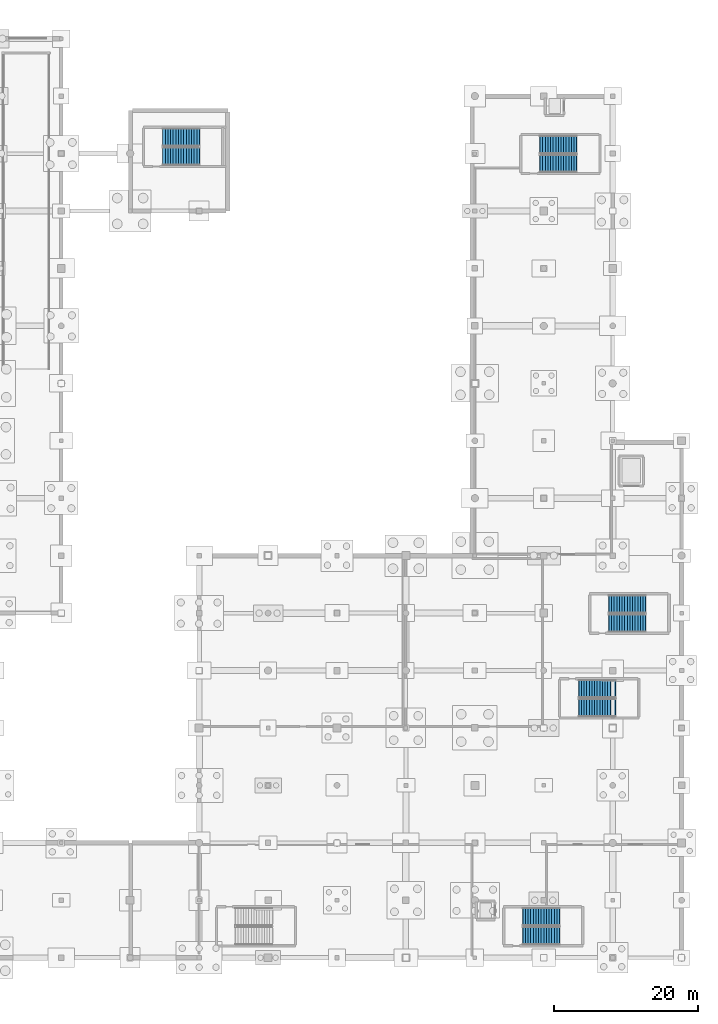
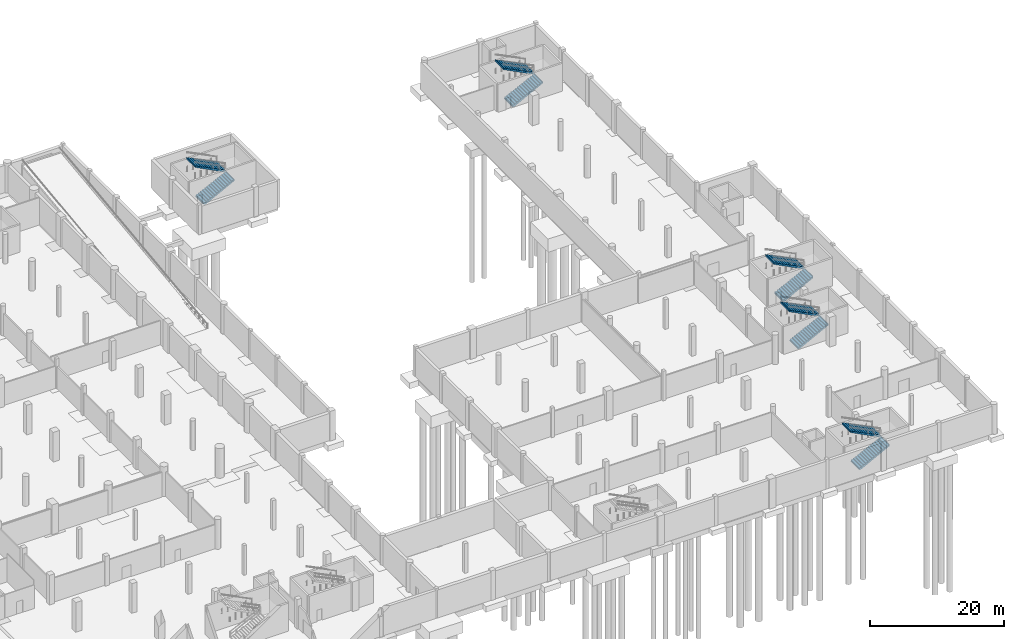
# One storey, part 33 of 44: 10 stair flights, 5 elements without a shape of their own.
"""IFC4 building model written with IfcOpenShell, lengths in metres."""

from ifc_helpers import new_model, si_unit, direction, frame, origin, place, context, subcontext, project, spatial, polyline, outline, extrude, material, type_object, element, aggregate, save


model = new_model("IFC4")

# Units and contexts
model_context = context("Model", 3, precision=1e-05, world=origin(), true_north=direction((0.0, 1.0)))
body_context = subcontext(model_context, "Body", "Model", "MODEL_VIEW")
ifc_project = project(units=[si_unit("LENGTHUNIT", "METRE"), si_unit("AREAUNIT", "SQUARE_METRE"), si_unit("VOLUMEUNIT", "CUBIC_METRE"), si_unit("PLANEANGLEUNIT", "RADIAN"), si_unit("MASSUNIT", "GRAM", prefix="KILO")], contexts=[model_context])

# Site, building, storey
site_placement = place(None, origin())
site = spatial("IfcSite", under=ifc_project, at=site_placement, CompositionType="ELEMENT")
building_placement = place(site_placement, origin())
building = spatial("IfcBuilding", under=site, at=building_placement, Name="Danafjord Basin Convention Centre", CompositionType="ELEMENT")
storey_placement = place(building_placement, frame((0.0, 0.0, -5.39990234375)))
storey = spatial("IfcBuildingStorey", under=building, at=storey_placement, Name="B1", CompositionType="ELEMENT", Elevation=-5.39990234375)

# Stair, stair flights
ifc_material_1 = material(Name="Concrete C40/50", Category="concrete")
stair_type = type_object("IfcStairType", Name="STAIR-STR-C01", PredefinedType="TWO_STRAIGHT_RUN_STAIR", material=ifc_material_1)
stair_1_placement = place(storey_placement, origin())
stair_1 = element("IfcStair", 1, at=stair_1_placement, inside=storey, type_object=stair_type, Name="B1 Plenary North-East Core Stair 1", PredefinedType="HALF_TURN_STAIR")
ifc_material_2 = material(Name="Precast concrete C40/50", Category="concrete")
stair_flight_type = type_object("IfcStairFlightType", Name="SFLT-STD", PredefinedType="STRAIGHT", material=ifc_material_2)
stair_flight_1_placement = place(storey_placement, frame((191.47998046875, 118.610107421875, 0.0), z_axis=(0.0, 0.0, 1.0), x_axis=(1.0, 0.0, 0.0)))
stair_flight_1 = element("IfcStairFlight", 2, at=stair_flight_1_placement, type_object=stair_flight_type, Name="ST-11 flight 1", NumberOfRisers=15, NumberOfTreads=14, PredefinedType="STRAIGHT", RiserHeight=0.18, TreadLength=0.365, context=body_context, shape_type="SweptSolid", body=[
    extrude(outline(polyline([(-0.06494140625, -0.14990234375), (-0.06494140625, -0.00390625), (0.0, -0.00390625), (0.0, 0.179931640625), (0.364990234375, 0.179931640625), (0.364990234375, 0.360107421875), (0.72998046875, 0.360107421875), (0.72998046875, 0.5400390625), (1.094970703125, 0.5400390625), (1.094970703125, 0.719970703125), (1.4599609375, 0.719970703125), (1.4599609375, 0.89990234375), (1.824951171875, 0.89990234375), (1.824951171875, 1.080078125), (2.18994140625, 1.080078125), (2.18994140625, 1.260009765625), (2.554931640625, 1.260009765625), (2.554931640625, 1.43994140625), (2.919921875, 1.43994140625), (2.919921875, 1.6201171875), (3.284912109375, 1.6201171875), (3.284912109375, 1.800048828125), (3.64990234375, 1.800048828125), (3.64990234375, 1.97998046875), (4.014892578125, 1.97998046875), (4.014892578125, 2.159912109375), (4.3798828125, 2.159912109375), (4.3798828125, 2.340087890625), (4.7451171875, 2.340087890625), (4.7451171875, 2.52001953125), (5.110107421875, 2.52001953125), (5.110107421875, 2.699951171875), (5.175048828125, 2.696044921875), (5.175048828125, 2.352783203125), (0.3388671875, -0.14990234375), (-0.06494140625, -0.14990234375)])), frame((0.0, 1.25, 0.0), z_axis=(0.0, -1.0, 0.0), x_axis=(1.0, 0.0, 0.0)), (0.0, 0.0, 1.0), 2.5),
])
stair_flight_2_placement = place(storey_placement, frame((196.590087890625, 121.25, 2.699951171875), z_axis=(0.0, 0.0, 1.0), x_axis=(-1.0, 0.0, 0.0)))
stair_flight_2 = element("IfcStairFlight", 3, at=stair_flight_2_placement, type_object=stair_flight_type, Name="ST-11 flight 2", NumberOfRisers=15, NumberOfTreads=14, PredefinedType="STRAIGHT", RiserHeight=0.18, TreadLength=0.365, context=body_context, shape_type="SweptSolid", body=[
    extrude(outline(polyline([(-0.06494140625, -0.14990234375), (-0.06494140625, -0.00390625), (0.0, -0.00390625), (0.0, 0.179931640625), (0.364990234375, 0.179931640625), (0.364990234375, 0.360107421875), (0.72998046875, 0.360107421875), (0.72998046875, 0.5400390625), (1.094970703125, 0.5400390625), (1.094970703125, 0.719970703125), (1.4599609375, 0.719970703125), (1.4599609375, 0.89990234375), (1.824951171875, 0.89990234375), (1.824951171875, 1.080078125), (2.18994140625, 1.080078125), (2.18994140625, 1.260009765625), (2.554931640625, 1.260009765625), (2.554931640625, 1.43994140625), (2.919921875, 1.43994140625), (2.919921875, 1.6201171875), (3.284912109375, 1.6201171875), (3.284912109375, 1.800048828125), (3.64990234375, 1.800048828125), (3.64990234375, 1.97998046875), (4.014892578125, 1.97998046875), (4.014892578125, 2.159912109375), (4.3798828125, 2.159912109375), (4.3798828125, 2.340087890625), (4.7451171875, 2.340087890625), (4.7451171875, 2.52001953125), (5.110107421875, 2.52001953125), (5.110107421875, 2.699951171875), (5.175048828125, 2.696044921875), (5.175048828125, 2.352783203125), (0.3388671875, -0.14990234375), (-0.06494140625, -0.14990234375)])), frame((0.0, 1.25, 0.0), z_axis=(0.0, -1.0, 0.0), x_axis=(1.0, 0.0, 0.0)), (0.0, 0.0, 1.0), 2.5),
])
aggregate(stair_1, [stair_flight_1, stair_flight_2])

stair_2_placement = place(storey_placement, origin())
stair_2 = element("IfcStair", 4, at=stair_2_placement, inside=storey, type_object=stair_type, Name="B1 Ballroom East Core Stair 1", PredefinedType="HALF_TURN_STAIR")
stair_flight_3_placement = place(storey_placement, frame((201.080078125, 54.610107421875, 0.0), z_axis=(0.0, 0.0, 1.0), x_axis=(1.0, 0.0, 0.0)))
stair_flight_3 = element("IfcStairFlight", 5, at=stair_flight_3_placement, type_object=stair_flight_type, Name="ST-13 flight 1", NumberOfRisers=15, NumberOfTreads=14, PredefinedType="STRAIGHT", RiserHeight=0.18, TreadLength=0.365, context=body_context, shape_type="SweptSolid", body=[
    extrude(outline(polyline([(-0.06494140625, -0.14990234375), (-0.06494140625, -0.00390625), (0.0, -0.00390625), (0.0, 0.179931640625), (0.364990234375, 0.179931640625), (0.364990234375, 0.360107421875), (0.72998046875, 0.360107421875), (0.72998046875, 0.5400390625), (1.094970703125, 0.5400390625), (1.094970703125, 0.719970703125), (1.4599609375, 0.719970703125), (1.4599609375, 0.89990234375), (1.824951171875, 0.89990234375), (1.824951171875, 1.080078125), (2.18994140625, 1.080078125), (2.18994140625, 1.260009765625), (2.554931640625, 1.260009765625), (2.554931640625, 1.43994140625), (2.919921875, 1.43994140625), (2.919921875, 1.6201171875), (3.284912109375, 1.6201171875), (3.284912109375, 1.800048828125), (3.64990234375, 1.800048828125), (3.64990234375, 1.97998046875), (4.014892578125, 1.97998046875), (4.014892578125, 2.159912109375), (4.3798828125, 2.159912109375), (4.3798828125, 2.340087890625), (4.7451171875, 2.340087890625), (4.7451171875, 2.52001953125), (5.110107421875, 2.52001953125), (5.110107421875, 2.699951171875), (5.175048828125, 2.696044921875), (5.175048828125, 2.352783203125), (0.3388671875, -0.14990234375), (-0.06494140625, -0.14990234375)])), frame((0.0, 1.25, 0.0), z_axis=(0.0, -1.0, 0.0), x_axis=(1.0, 0.0, 0.0)), (0.0, 0.0, 1.0), 2.5),
])
stair_flight_4_placement = place(storey_placement, frame((206.18994140625, 57.25, 2.699951171875), z_axis=(0.0, 0.0, 1.0), x_axis=(-1.0, 0.0, 0.0)))
stair_flight_4 = element("IfcStairFlight", 6, at=stair_flight_4_placement, type_object=stair_flight_type, Name="ST-13 flight 2", NumberOfRisers=15, NumberOfTreads=14, PredefinedType="STRAIGHT", RiserHeight=0.18, TreadLength=0.365, context=body_context, shape_type="SweptSolid", body=[
    extrude(outline(polyline([(-0.06494140625, -0.14990234375), (-0.06494140625, -0.00390625), (0.0, -0.00390625), (0.0, 0.179931640625), (0.364990234375, 0.179931640625), (0.364990234375, 0.360107421875), (0.72998046875, 0.360107421875), (0.72998046875, 0.5400390625), (1.094970703125, 0.5400390625), (1.094970703125, 0.719970703125), (1.4599609375, 0.719970703125), (1.4599609375, 0.89990234375), (1.824951171875, 0.89990234375), (1.824951171875, 1.080078125), (2.18994140625, 1.080078125), (2.18994140625, 1.260009765625), (2.554931640625, 1.260009765625), (2.554931640625, 1.43994140625), (2.919921875, 1.43994140625), (2.919921875, 1.6201171875), (3.284912109375, 1.6201171875), (3.284912109375, 1.800048828125), (3.64990234375, 1.800048828125), (3.64990234375, 1.97998046875), (4.014892578125, 1.97998046875), (4.014892578125, 2.159912109375), (4.3798828125, 2.159912109375), (4.3798828125, 2.340087890625), (4.7451171875, 2.340087890625), (4.7451171875, 2.52001953125), (5.110107421875, 2.52001953125), (5.110107421875, 2.699951171875), (5.175048828125, 2.696044921875), (5.175048828125, 2.352783203125), (0.3388671875, -0.14990234375), (-0.06494140625, -0.14990234375)])), frame((0.0, 1.25, 0.0), z_axis=(0.0, -1.0, 0.0), x_axis=(1.0, 0.0, 0.0)), (0.0, 0.0, 1.0), 2.5),
])
aggregate(stair_2, [stair_flight_3, stair_flight_4])

stair_3_placement = place(storey_placement, origin())
stair_3 = element("IfcStair", 7, at=stair_3_placement, inside=storey, type_object=stair_type, Name="B1 Harbour Pavilion Core Stair 1", PredefinedType="HALF_TURN_STAIR")
stair_flight_5_placement = place(storey_placement, frame((189.080078125, 11.06005859375, 0.0), z_axis=(0.0, 0.0, 1.0), x_axis=(1.0, 0.0, 0.0)))
stair_flight_5 = element("IfcStairFlight", 8, at=stair_flight_5_placement, type_object=stair_flight_type, Name="ST-15 flight 1", NumberOfRisers=15, NumberOfTreads=14, PredefinedType="STRAIGHT", RiserHeight=0.18, TreadLength=0.365, context=body_context, shape_type="SweptSolid", body=[
    extrude(outline(polyline([(-0.06494140625, -0.14990234375), (-0.06494140625, -0.00390625), (0.0, -0.00390625), (0.0, 0.179931640625), (0.364990234375, 0.179931640625), (0.364990234375, 0.360107421875), (0.72998046875, 0.360107421875), (0.72998046875, 0.5400390625), (1.094970703125, 0.5400390625), (1.094970703125, 0.719970703125), (1.4599609375, 0.719970703125), (1.4599609375, 0.89990234375), (1.824951171875, 0.89990234375), (1.824951171875, 1.080078125), (2.18994140625, 1.080078125), (2.18994140625, 1.260009765625), (2.554931640625, 1.260009765625), (2.554931640625, 1.43994140625), (2.919921875, 1.43994140625), (2.919921875, 1.6201171875), (3.284912109375, 1.6201171875), (3.284912109375, 1.800048828125), (3.64990234375, 1.800048828125), (3.64990234375, 1.97998046875), (4.014892578125, 1.97998046875), (4.014892578125, 2.159912109375), (4.3798828125, 2.159912109375), (4.3798828125, 2.340087890625), (4.7451171875, 2.340087890625), (4.7451171875, 2.52001953125), (5.110107421875, 2.52001953125), (5.110107421875, 2.699951171875), (5.175048828125, 2.696044921875), (5.175048828125, 2.352783203125), (0.3388671875, -0.14990234375), (-0.06494140625, -0.14990234375)])), frame((0.0, 1.25, 0.0), z_axis=(0.0, -1.0, 0.0), x_axis=(1.0, 0.0, 0.0)), (0.0, 0.0, 1.0), 2.5),
])
stair_flight_6_placement = place(storey_placement, frame((194.18994140625, 13.699951171875, 2.699951171875), z_axis=(0.0, 0.0, 1.0), x_axis=(-1.0, 0.0, 0.0)))
stair_flight_6 = element("IfcStairFlight", 9, at=stair_flight_6_placement, type_object=stair_flight_type, Name="ST-15 flight 2", NumberOfRisers=15, NumberOfTreads=14, PredefinedType="STRAIGHT", RiserHeight=0.18, TreadLength=0.365, context=body_context, shape_type="SweptSolid", body=[
    extrude(outline(polyline([(-0.06494140625, -0.14990234375), (-0.06494140625, -0.00390625), (0.0, -0.00390625), (0.0, 0.179931640625), (0.364990234375, 0.179931640625), (0.364990234375, 0.360107421875), (0.72998046875, 0.360107421875), (0.72998046875, 0.5400390625), (1.094970703125, 0.5400390625), (1.094970703125, 0.719970703125), (1.4599609375, 0.719970703125), (1.4599609375, 0.89990234375), (1.824951171875, 0.89990234375), (1.824951171875, 1.080078125), (2.18994140625, 1.080078125), (2.18994140625, 1.260009765625), (2.554931640625, 1.260009765625), (2.554931640625, 1.43994140625), (2.919921875, 1.43994140625), (2.919921875, 1.6201171875), (3.284912109375, 1.6201171875), (3.284912109375, 1.800048828125), (3.64990234375, 1.800048828125), (3.64990234375, 1.97998046875), (4.014892578125, 1.97998046875), (4.014892578125, 2.159912109375), (4.3798828125, 2.159912109375), (4.3798828125, 2.340087890625), (4.7451171875, 2.340087890625), (4.7451171875, 2.52001953125), (5.110107421875, 2.52001953125), (5.110107421875, 2.699951171875), (5.175048828125, 2.696044921875), (5.175048828125, 2.352783203125), (0.3388671875, -0.14990234375), (-0.06494140625, -0.14990234375)])), frame((0.0, 1.25, 0.0), z_axis=(0.0, -1.0, 0.0), x_axis=(1.0, 0.0, 0.0)), (0.0, 0.0, 1.0), 2.5),
])
aggregate(stair_3, [stair_flight_5, stair_flight_6])

stair_4_placement = place(storey_placement, origin())
stair_4 = element("IfcStair", 10, at=stair_4_placement, inside=storey, type_object=stair_type, Name="B1 Plenary West Escape Stair", PredefinedType="HALF_TURN_STAIR")
stair_flight_7_placement = place(storey_placement, frame((138.929931640625, 119.610107421875, 0.0), z_axis=(0.0, 0.0, 1.0), x_axis=(1.0, 0.0, 0.0)))
stair_flight_7 = element("IfcStairFlight", 11, at=stair_flight_7_placement, type_object=stair_flight_type, Name="ST-12 flight 1", NumberOfRisers=15, NumberOfTreads=14, PredefinedType="STRAIGHT", RiserHeight=0.18, TreadLength=0.365, context=body_context, shape_type="SweptSolid", body=[
    extrude(outline(polyline([(-0.06494140625, -0.14990234375), (-0.06494140625, -0.00390625), (0.0, -0.00390625), (0.0, 0.179931640625), (0.364990234375, 0.179931640625), (0.364990234375, 0.360107421875), (0.72998046875, 0.360107421875), (0.72998046875, 0.5400390625), (1.094970703125, 0.5400390625), (1.094970703125, 0.719970703125), (1.4599609375, 0.719970703125), (1.4599609375, 0.89990234375), (1.824951171875, 0.89990234375), (1.824951171875, 1.080078125), (2.18994140625, 1.080078125), (2.18994140625, 1.260009765625), (2.554931640625, 1.260009765625), (2.554931640625, 1.43994140625), (2.919921875, 1.43994140625), (2.919921875, 1.6201171875), (3.284912109375, 1.6201171875), (3.284912109375, 1.800048828125), (3.64990234375, 1.800048828125), (3.64990234375, 1.97998046875), (4.014892578125, 1.97998046875), (4.014892578125, 2.159912109375), (4.3798828125, 2.159912109375), (4.3798828125, 2.340087890625), (4.7451171875, 2.340087890625), (4.7451171875, 2.52001953125), (5.110107421875, 2.52001953125), (5.110107421875, 2.699951171875), (5.175048828125, 2.696044921875), (5.175048828125, 2.352783203125), (0.3388671875, -0.14990234375), (-0.06494140625, -0.14990234375)])), frame((0.0, 1.25, 0.0), z_axis=(0.0, -1.0, 0.0), x_axis=(1.0, 0.0, 0.0)), (0.0, 0.0, 1.0), 2.5),
])
stair_flight_8_placement = place(storey_placement, frame((144.0400390625, 122.25, 2.699951171875), z_axis=(0.0, 0.0, 1.0), x_axis=(-1.0, 0.0, 0.0)))
stair_flight_8 = element("IfcStairFlight", 12, at=stair_flight_8_placement, type_object=stair_flight_type, Name="ST-12 flight 2", NumberOfRisers=15, NumberOfTreads=14, PredefinedType="STRAIGHT", RiserHeight=0.18, TreadLength=0.365, context=body_context, shape_type="SweptSolid", body=[
    extrude(outline(polyline([(-0.06494140625, -0.14990234375), (-0.06494140625, -0.00390625), (0.0, -0.00390625), (0.0, 0.179931640625), (0.364990234375, 0.179931640625), (0.364990234375, 0.360107421875), (0.72998046875, 0.360107421875), (0.72998046875, 0.5400390625), (1.094970703125, 0.5400390625), (1.094970703125, 0.719970703125), (1.4599609375, 0.719970703125), (1.4599609375, 0.89990234375), (1.824951171875, 0.89990234375), (1.824951171875, 1.080078125), (2.18994140625, 1.080078125), (2.18994140625, 1.260009765625), (2.554931640625, 1.260009765625), (2.554931640625, 1.43994140625), (2.919921875, 1.43994140625), (2.919921875, 1.6201171875), (3.284912109375, 1.6201171875), (3.284912109375, 1.800048828125), (3.64990234375, 1.800048828125), (3.64990234375, 1.97998046875), (4.014892578125, 1.97998046875), (4.014892578125, 2.159912109375), (4.3798828125, 2.159912109375), (4.3798828125, 2.340087890625), (4.7451171875, 2.340087890625), (4.7451171875, 2.52001953125), (5.110107421875, 2.52001953125), (5.110107421875, 2.699951171875), (5.175048828125, 2.696044921875), (5.175048828125, 2.352783203125), (0.3388671875, -0.14990234375), (-0.06494140625, -0.14990234375)])), frame((0.0, 1.25, 0.0), z_axis=(0.0, -1.0, 0.0), x_axis=(1.0, 0.0, 0.0)), (0.0, 0.0, 1.0), 2.5),
])
aggregate(stair_4, [stair_flight_7, stair_flight_8])

stair_5_placement = place(storey_placement, origin())
stair_5 = element("IfcStair", 13, at=stair_5_placement, inside=storey, type_object=stair_type, Name="B1 Ballroom South-East Escape Stair", PredefinedType="HALF_TURN_STAIR")
stair_flight_9_placement = place(storey_placement, frame((196.8798828125, 42.81005859375, 0.0), z_axis=(0.0, 0.0, 1.0), x_axis=(1.0, 0.0, 0.0)))
stair_flight_9 = element("IfcStairFlight", 14, at=stair_flight_9_placement, type_object=stair_flight_type, Name="ST-14 flight 1", NumberOfRisers=15, NumberOfTreads=14, PredefinedType="STRAIGHT", RiserHeight=0.18, TreadLength=0.365, context=body_context, shape_type="SweptSolid", body=[
    extrude(outline(polyline([(-0.06494140625, -0.14990234375), (-0.06494140625, -0.00390625), (0.0, -0.00390625), (0.0, 0.179931640625), (0.364990234375, 0.179931640625), (0.364990234375, 0.360107421875), (0.72998046875, 0.360107421875), (0.72998046875, 0.5400390625), (1.094970703125, 0.5400390625), (1.094970703125, 0.719970703125), (1.4599609375, 0.719970703125), (1.4599609375, 0.89990234375), (1.824951171875, 0.89990234375), (1.824951171875, 1.080078125), (2.18994140625, 1.080078125), (2.18994140625, 1.260009765625), (2.554931640625, 1.260009765625), (2.554931640625, 1.43994140625), (2.919921875, 1.43994140625), (2.919921875, 1.6201171875), (3.284912109375, 1.6201171875), (3.284912109375, 1.800048828125), (3.64990234375, 1.800048828125), (3.64990234375, 1.97998046875), (4.014892578125, 1.97998046875), (4.014892578125, 2.159912109375), (4.3798828125, 2.159912109375), (4.3798828125, 2.340087890625), (4.7451171875, 2.340087890625), (4.7451171875, 2.52001953125), (5.110107421875, 2.52001953125), (5.110107421875, 2.699951171875), (5.175048828125, 2.696044921875), (5.175048828125, 2.352783203125), (0.3388671875, -0.14990234375), (-0.06494140625, -0.14990234375)])), frame((0.0, 1.25, 0.0), z_axis=(0.0, -1.0, 0.0), x_axis=(1.0, 0.0, 0.0)), (0.0, 0.0, 1.0), 2.5),
])
stair_flight_10_placement = place(storey_placement, frame((201.989990234375, 45.449951171875, 2.699951171875), z_axis=(0.0, 0.0, 1.0), x_axis=(-1.0, 0.0, 0.0)))
stair_flight_10 = element("IfcStairFlight", 15, at=stair_flight_10_placement, type_object=stair_flight_type, Name="ST-14 flight 2", NumberOfRisers=15, NumberOfTreads=14, PredefinedType="STRAIGHT", RiserHeight=0.18, TreadLength=0.365, context=body_context, shape_type="SweptSolid", body=[
    extrude(outline(polyline([(-0.06494140625, -0.14990234375), (-0.06494140625, -0.00390625), (0.0, -0.00390625), (0.0, 0.179931640625), (0.364990234375, 0.179931640625), (0.364990234375, 0.360107421875), (0.72998046875, 0.360107421875), (0.72998046875, 0.5400390625), (1.094970703125, 0.5400390625), (1.094970703125, 0.719970703125), (1.4599609375, 0.719970703125), (1.4599609375, 0.89990234375), (1.824951171875, 0.89990234375), (1.824951171875, 1.080078125), (2.18994140625, 1.080078125), (2.18994140625, 1.260009765625), (2.554931640625, 1.260009765625), (2.554931640625, 1.43994140625), (2.919921875, 1.43994140625), (2.919921875, 1.6201171875), (3.284912109375, 1.6201171875), (3.284912109375, 1.800048828125), (3.64990234375, 1.800048828125), (3.64990234375, 1.97998046875), (4.014892578125, 1.97998046875), (4.014892578125, 2.159912109375), (4.3798828125, 2.159912109375), (4.3798828125, 2.340087890625), (4.7451171875, 2.340087890625), (4.7451171875, 2.52001953125), (5.110107421875, 2.52001953125), (5.110107421875, 2.699951171875), (5.175048828125, 2.696044921875), (5.175048828125, 2.352783203125), (0.3388671875, -0.14990234375), (-0.06494140625, -0.14990234375)])), frame((0.0, 1.25, 0.0), z_axis=(0.0, -1.0, 0.0), x_axis=(1.0, 0.0, 0.0)), (0.0, 0.0, 1.0), 2.5),
])
aggregate(stair_5, [stair_flight_9, stair_flight_10])

save(model, "model.ifc")
